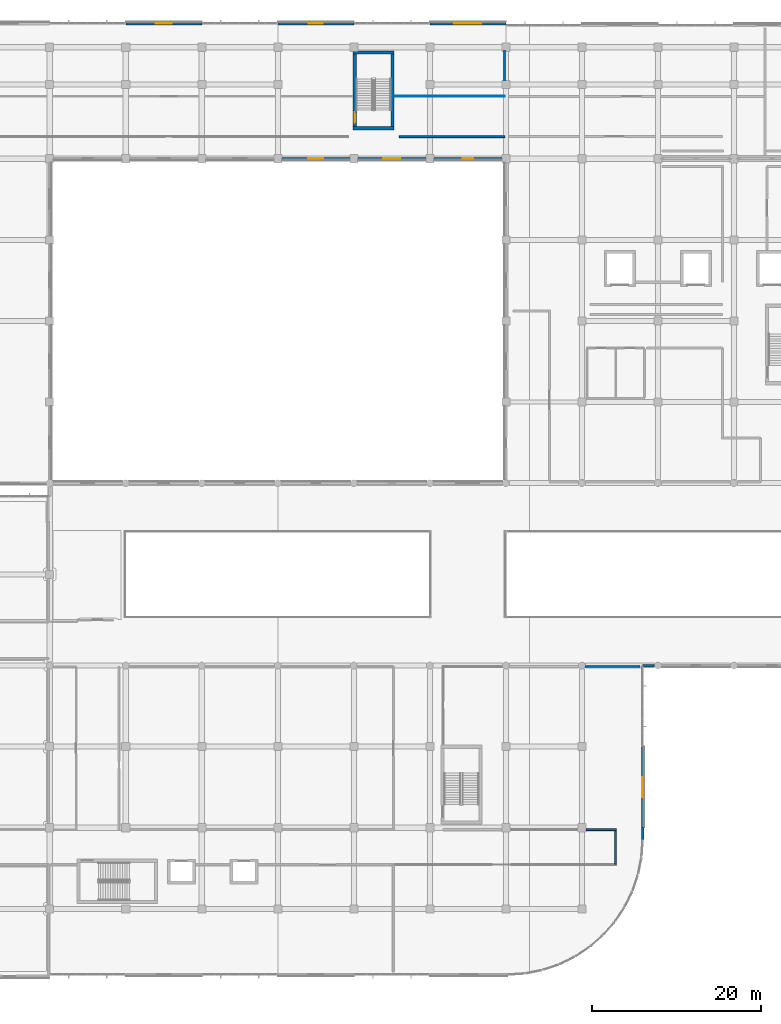
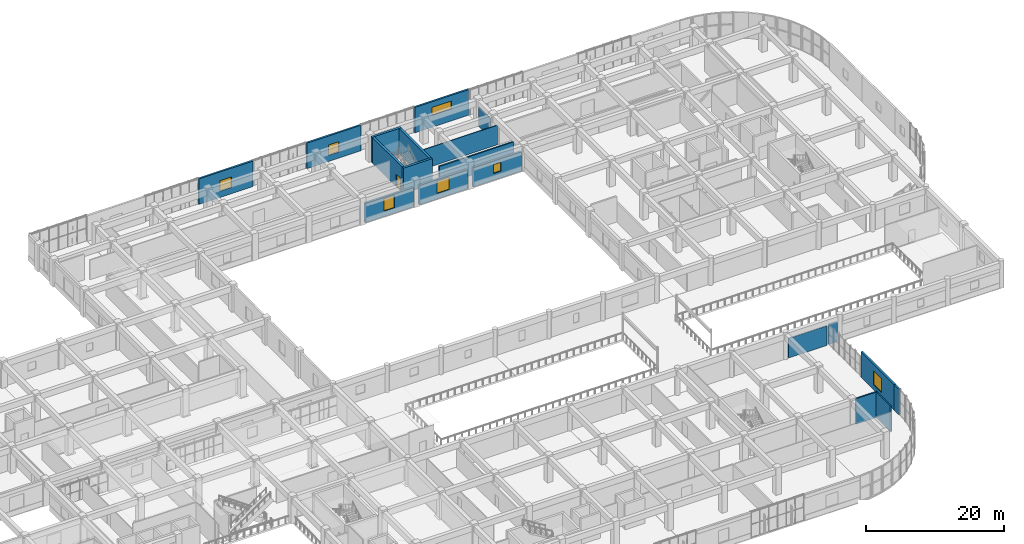
# One storey, part 59 of 86: 19 walls, 7 windows, 1 door, 8 openings.
"""IFC4 building model written with IfcOpenShell, lengths in metres."""

from ifc_helpers import new_model, si_unit, direction, frame, frame_2d, origin, place, context, subcontext, project, spatial, rectangle, extrude, material, layer, layer_set, type_object, element, fill, save


model = new_model("IFC4")

# Units and contexts
model_context = context("Model", 3, precision=1e-05, world=origin(), true_north=direction((0.0, 1.0)))
body_context = subcontext(model_context, "Body", "Model", "MODEL_VIEW")
ifc_project = project(units=[si_unit("LENGTHUNIT", "METRE"), si_unit("AREAUNIT", "SQUARE_METRE"), si_unit("VOLUMEUNIT", "CUBIC_METRE"), si_unit("PLANEANGLEUNIT", "RADIAN"), si_unit("MASSUNIT", "GRAM", prefix="KILO")], contexts=[model_context])

# Site, building, storey
site_placement = place(None, origin())
site = spatial("IfcSite", under=ifc_project, at=site_placement, CompositionType="ELEMENT")
building_placement = place(site_placement, origin())
building = spatial("IfcBuilding", under=site, at=building_placement, Name="Cendralis Terraced Arcade", CompositionType="ELEMENT")
storey_placement = place(building_placement, frame((0.0, 0.0, 5.39990234375)))
storey = spatial("IfcBuildingStorey", under=building, at=storey_placement, Name="L01", CompositionType="ELEMENT", Elevation=5.39990234375)

# Walls
ifc_material_1 = material(Name="Gypsum plasterboard acoustic partition", Category="concrete")
ifc_layer_1 = layer(ifc_material_1, 0.199951171875, Name="WL-ACOU-200")
ifc_layer_set_1 = layer_set([ifc_layer_1], Name="Gypsum plasterboard acoustic partition")
wall_type_1 = type_object("IfcWallType", Name="WL-ACOU-200", PredefinedType="PARTITIONING", material=ifc_layer_set_1)
wall_1_placement = place(storey_placement, frame((130.6201171875, 38.280029296875, 0.0), z_axis=(0.0, 0.0, 1.0), x_axis=(1.0, 0.0, 0.0)))
element("IfcWall", 1, at=wall_1_placement, inside=storey, type_object=wall_type_1, Name="Interior Partition Wall IW-L01-0406", PredefinedType="PARTITIONING", context=body_context, shape_type="SweptSolid", body=[
    extrude(rectangle(XDim=6.43994140625, YDim=0.199951171875, at=frame_2d((3.219970703125, 0.0))), origin(), (0.0, 0.0, 1.0), 3.445068359375),
])
ifc_layer_2 = layer(ifc_material_1, 0.2099609375, Name="WL-ACOU-210")
ifc_layer_set_2 = layer_set([ifc_layer_2], Name="Gypsum plasterboard acoustic partition")
wall_type_2 = type_object("IfcWallType", Name="WL-ACOU-210", PredefinedType="PARTITIONING", material=ifc_layer_set_2)
wall_2_placement = place(storey_placement, frame((134.179931640625, 14.87890625, 0.0), z_axis=(0.0, 0.0, 1.0), x_axis=(0.0, 1.0, 0.0)))
element("IfcWall", 2, at=wall_2_placement, inside=storey, type_object=wall_type_2, Name="Interior Partition Wall IW-L01-0404", PredefinedType="PARTITIONING", context=body_context, shape_type="SweptSolid", body=[
    extrude(rectangle(XDim=3.989990234375, YDim=0.2099609375, at=frame_2d((1.9951171875, 0.0))), origin(), (0.0, 0.0, 1.0), 4.505126953125),
])
ifc_material_2 = material(Name="Autoclaved aerated concrete blockwork", Category="masonry")
ifc_layer_3 = layer(ifc_material_2, 0.221923828125, Name="WL-ACOU-222")
ifc_layer_set_3 = layer_set([ifc_layer_3], Name="Autoclaved aerated concrete blockwork")
wall_type_3 = type_object("IfcWallType", Name="WL-ACOU-222", PredefinedType="PARTITIONING", material=ifc_layer_set_3)
wall_3_placement = place(storey_placement, frame((134.284912109375, 18.97998046875, 0.0), z_axis=(0.0, 0.0, 1.0), x_axis=(-1.0, 0.0, 0.0)))
element("IfcWall", 3, at=wall_3_placement, inside=storey, type_object=wall_type_3, Name="Interior Partition Wall IW-L01-0403", PredefinedType="PARTITIONING", context=body_context, shape_type="SweptSolid", body=[
    extrude(rectangle(XDim=3.58984375, YDim=0.221923828125, at=frame_2d((1.794921875, 0.0))), origin(), (0.0, 0.0, 1.0), 4.505126953125),
])
ifc_layer_4 = layer(ifc_material_2, 0.22802734375, Name="WL-ACOU-228")
ifc_layer_set_4 = layer_set([ifc_layer_4], Name="Autoclaved aerated concrete blockwork")
wall_type_4 = type_object("IfcWallType", Name="WL-ACOU-228", PredefinedType="PARTITIONING", material=ifc_layer_set_4)
wall_4_placement = place(storey_placement, frame((108.5888671875, 101.02001953125, 0.0), z_axis=(0.0, 0.0, 1.0), x_axis=(1.0, 0.0, 0.0)))
element("IfcWall", 4, at=wall_4_placement, inside=storey, type_object=wall_type_4, Name="Interior Partition Wall IW-L01-0380", PredefinedType="PARTITIONING", context=body_context, shape_type="SweptSolid", body=[
    extrude(rectangle(XDim=12.4912109375, YDim=0.22802734375, at=frame_2d((6.24560546875, 0.0))), origin(), (0.0, 0.0, 1.0), 3.445068359375),
])
ifc_material_3 = material(Name="Concrete f'c 42 MPa", Category="concrete")
ifc_layer_5 = layer(ifc_material_3, 0.3798828125, Name="WL-CORE-380")
ifc_layer_set_5 = layer_set([ifc_layer_5], Name="Concrete f'c 42 MPa")
wall_type_5 = type_object("IfcWallType", Name="WL-CORE-380", PredefinedType="SHEAR", material=ifc_layer_set_5)
for number, where, z_axis, x_axis, name in (
    (5, (103.1201171875, 102.010009765625, 0.0), (0.0, 0.0, 1.0), (1.0, 0.0, 0.0), "Stair Core Reinforced Concrete Shear Wall SW-ST-10-L01-S"),
    (6, (103.1201171875, 110.989990234375, 0.0), (0.0, 0.0, 1.0), (1.0, 0.0, 0.0), "Stair Core Reinforced Concrete Shear Wall SW-ST-10-L01-N"),
):
    element("IfcWall", number, at=place(storey_placement, frame(where, z_axis=z_axis, x_axis=x_axis)), inside=storey, type_object=wall_type_5, Name=name, PredefinedType="SHEAR", context=body_context, shape_type="SweptSolid", body=[
        extrude(rectangle(XDim=4.85986328125, YDim=0.3798828125, at=frame_2d((2.429931640625, 0.0))), origin(), (0.0, 0.0, 1.0), 4.505126953125),
    ])
wall_5_placement = place(storey_placement, frame((107.7900390625, 102.199951171875, 0.0), z_axis=(0.0, 0.0, 1.0), x_axis=(0.0, 1.0, 0.0)))
element("IfcWall", 7, at=wall_5_placement, inside=storey, type_object=wall_type_5, Name="Stair Core Reinforced Concrete Shear Wall SW-ST-10-L01-E", PredefinedType="SHEAR", context=body_context, shape_type="SweptSolid", body=[
    extrude(rectangle(XDim=8.60009765625, YDim=0.3798828125, at=frame_2d((4.300048828125, 0.0))), origin(), (0.0, 0.0, 1.0), 4.505126953125),
])

# Wall, opening, door
wall_6_placement = place(storey_placement, frame((103.31005859375, 102.199951171875, 0.0), z_axis=(0.0, 0.0, 1.0), x_axis=(0.0, 1.0, 0.0)))
wall_6 = element("IfcWall", 8, at=wall_6_placement, inside=storey, type_object=wall_type_5, Name="Stair Core Reinforced Concrete Shear Wall SW-ST-10-L01-W", PredefinedType="SHEAR", context=body_context, shape_type="SweptSolid", body=[
    extrude(rectangle(XDim=8.60009765625, YDim=0.3798828125, at=frame_2d((4.300048828125, 0.0))), origin(), (0.0, 0.0, 1.0), 4.505126953125),
])
opening_1_placement = place(wall_6_placement, frame((0.449951171875, 0.0, 0.0)))
opening_1 = element("IfcOpeningElement", 9, at=opening_1_placement, cuts=wall_6, Name="Opening D-ST-10-L01", PredefinedType="OPENING", context=body_context, shape_type="SweptSolid", body=[
    extrude(rectangle(XDim=1.25, YDim=2.199951171875, at=frame_2d((0.625, 1.10009765625))), frame((0.0, 0.201904296875, 0.0), z_axis=(0.0, -1.0, 0.0), x_axis=(1.0, 0.0, 0.0)), (0.0, 0.0, 1.0), 0.40380859375),
])
ifc_material_4 = material(Name="Galvanised fire-rated steel door assembly", Category="steel")
door_type = type_object("IfcDoorType", Name="ID-ST-1250x2200", OperationType="NOTDEFINED", PredefinedType="DOOR", material=ifc_material_4)
door_placement = place(opening_1_placement, frame((1.25, 0.0, 0.0), z_axis=(0.0, 0.0, 1.0), x_axis=(-1.0, 0.0, 0.0)))
door = element("IfcDoor", 10, at=door_placement, inside=storey, type_object=door_type, Name="Protected Stair ST-10 Fire Door (L01)", OperationType="SINGLE_SWING_RIGHT", OverallHeight=2.199951171875, OverallWidth=1.25, PredefinedType="DOOR", context=body_context, shape_type="SweptSolid", body=[
    extrude(rectangle(XDim=1.25, YDim=2.199951171875, at=frame_2d((0.625, 1.10009765625))), frame((0.0, 0.02490234375, 0.0), z_axis=(0.0, -1.0, 0.0), x_axis=(1.0, 0.0, 0.0)), (0.0, 0.0, 1.0), 0.050048828125),
])
fill(opening_1, door)

# Wall, opening, window
ifc_material_5 = material(Name="Precast concrete f'c 40 MPa", Category="concrete")
ifc_layer_6 = layer(ifc_material_5, 0.300048828125, Name="WL-EXT-GRC-300")
ifc_layer_set_6 = layer_set([ifc_layer_6], Name="Precast concrete f'c 40 MPa")
wall_type_6 = type_object("IfcWallType", Name="WL-EXT-GRC-300", PredefinedType="SOLIDWALL", material=ifc_layer_set_6)
wall_7_placement = place(storey_placement, frame((76.199951171875, 114.39990234375, 0.0), z_axis=(0.0, 0.0, 1.0), x_axis=(1.0, 0.0, 0.0)))
wall_7 = element("IfcWall", 11, at=wall_7_placement, inside=storey, type_object=wall_type_6, Name="Exterior Architectural Wall EW-L01-0099", PredefinedType="SOLIDWALL", context=body_context, shape_type="SweptSolid", body=[
    extrude(rectangle(XDim=9.0, YDim=0.300048828125, at=frame_2d((4.5, 0.0))), origin(), (0.0, 0.0, 1.0), 4.505126953125),
])
opening_2_placement = place(wall_7_placement, frame((3.550048828125, 0.0, 1.10009765625)))
opening_2 = element("IfcOpeningElement", 12, at=opening_2_placement, cuts=wall_7, Name="Opening W-13", PredefinedType="OPENING", context=body_context, shape_type="SweptSolid", body=[
    extrude(rectangle(XDim=1.89990234375, YDim=1.85009765625, at=frame_2d((0.949951171875, 0.925048828125))), frame((0.0, 0.162109375, 0.0), z_axis=(0.0, -1.0, 0.0), x_axis=(1.0, 0.0, 0.0)), (0.0, 0.0, 1.0), 0.323974609375),
])
ifc_material_6 = material(Name="Tempered solar control laminated glass", Category="glass")
window_type_1 = type_object("IfcWindowType", Name="WN-F2-1900x1850", PartitioningType="SINGLE_PANEL", PredefinedType="WINDOW", material=ifc_material_6)
window_1_placement = place(opening_2_placement, origin())
window_1 = element("IfcWindow", 13, at=window_1_placement, inside=storey, type_object=window_type_1, Name="Exterior Solar-Control Window WN-L01-0056", OverallHeight=1.85009765625, OverallWidth=1.89990234375, PartitioningType="SINGLE_PANEL", PredefinedType="WINDOW", context=body_context, shape_type="SweptSolid", body=[
    extrude(rectangle(XDim=1.89990234375, YDim=1.85009765625, at=frame_2d((0.949951171875, 0.925048828125))), frame((0.0, 0.030029296875, 0.0), z_axis=(0.0, -1.0, 0.0), x_axis=(1.0, 0.0, 0.0)), (0.0, 0.0, 1.0), 0.06005859375),
])
fill(opening_2, window_1)

wall_8_placement = place(storey_placement, frame((94.199951171875, 114.39990234375, 0.0), z_axis=(0.0, 0.0, 1.0), x_axis=(1.0, 0.0, 0.0)))
wall_8 = element("IfcWall", 14, at=wall_8_placement, inside=storey, type_object=wall_type_6, Name="Exterior Architectural Wall EW-L01-0100", PredefinedType="SOLIDWALL", context=body_context, shape_type="SweptSolid", body=[
    extrude(rectangle(XDim=9.0, YDim=0.300048828125, at=frame_2d((4.5, 0.0))), origin(), (0.0, 0.0, 1.0), 4.505126953125),
])
opening_3_placement = place(wall_8_placement, frame((3.64990234375, 0.0, 1.10009765625)))
opening_3 = element("IfcOpeningElement", 15, at=opening_3_placement, cuts=wall_8, Name="Opening W-14", PredefinedType="OPENING", context=body_context, shape_type="SweptSolid", body=[
    extrude(rectangle(XDim=1.699951171875, YDim=1.800048828125, at=frame_2d((0.85009765625, 0.89990234375))), frame((0.0, 0.162109375, 0.0), z_axis=(0.0, -1.0, 0.0), x_axis=(1.0, 0.0, 0.0)), (0.0, 0.0, 1.0), 0.323974609375),
])
window_type_2 = type_object("IfcWindowType", Name="WN-F2-1700x1800", PartitioningType="SINGLE_PANEL", PredefinedType="WINDOW", material=ifc_material_6)
window_2_placement = place(opening_3_placement, origin())
window_2 = element("IfcWindow", 16, at=window_2_placement, inside=storey, type_object=window_type_2, Name="Exterior Solar-Control Window WN-L01-0057", OverallHeight=1.800048828125, OverallWidth=1.699951171875, PartitioningType="SINGLE_PANEL", PredefinedType="WINDOW", context=body_context, shape_type="SweptSolid", body=[
    extrude(rectangle(XDim=1.699951171875, YDim=1.800048828125, at=frame_2d((0.85009765625, 0.89990234375))), frame((0.0, 0.030029296875, 0.0), z_axis=(0.0, -1.0, 0.0), x_axis=(1.0, 0.0, 0.0)), (0.0, 0.0, 1.0), 0.06005859375),
])
fill(opening_3, window_2)

wall_9_placement = place(storey_placement, frame((112.199951171875, 114.39990234375, 0.0), z_axis=(0.0, 0.0, 1.0), x_axis=(1.0, 0.0, 0.0)))
wall_9 = element("IfcWall", 17, at=wall_9_placement, inside=storey, type_object=wall_type_6, Name="Exterior Architectural Wall EW-L01-0101", PredefinedType="SOLIDWALL", context=body_context, shape_type="SweptSolid", body=[
    extrude(rectangle(XDim=9.0, YDim=0.300048828125, at=frame_2d((4.5, 0.0))), origin(), (0.0, 0.0, 1.0), 4.505126953125),
])
opening_4_placement = place(wall_9_placement, frame((2.89990234375, 0.0, 2.10009765625)))
opening_4 = element("IfcOpeningElement", 18, at=opening_4_placement, cuts=wall_9, Name="Opening W-15", PredefinedType="OPENING", context=body_context, shape_type="SweptSolid", body=[
    extrude(rectangle(XDim=3.199951171875, YDim=1.39990234375, at=frame_2d((1.60009765625, 0.699951171875))), frame((0.0, 0.162109375, 0.0), z_axis=(0.0, -1.0, 0.0), x_axis=(1.0, 0.0, 0.0)), (0.0, 0.0, 1.0), 0.323974609375),
])
window_type_3 = type_object("IfcWindowType", Name="WN-CL-3200x1400", PartitioningType="SINGLE_PANEL", PredefinedType="WINDOW", material=ifc_material_6)
window_3_placement = place(opening_4_placement, origin())
window_3 = element("IfcWindow", 19, at=window_3_placement, inside=storey, type_object=window_type_3, Name="Exterior Solar-Control Window WN-L01-0058", OverallHeight=1.39990234375, OverallWidth=3.199951171875, PartitioningType="SINGLE_PANEL", PredefinedType="WINDOW", context=body_context, shape_type="SweptSolid", body=[
    extrude(rectangle(XDim=3.199951171875, YDim=1.39990234375, at=frame_2d((1.60009765625, 0.699951171875))), frame((0.0, 0.030029296875, 0.0), z_axis=(0.0, -1.0, 0.0), x_axis=(1.0, 0.0, 0.0)), (0.0, 0.0, 1.0), 0.06005859375),
])
fill(opening_4, window_3)

wall_10_placement = place(storey_placement, frame((120.72705078125, 98.39990234375, 0.0), z_axis=(0.0, 0.0, 1.0), x_axis=(-1.0, 0.0, 0.0)))
wall_10 = element("IfcWall", 20, at=wall_10_placement, inside=storey, type_object=wall_type_6, Name="Exterior Architectural Wall EW-L01-0143", PredefinedType="SOLIDWALL", context=body_context, shape_type="SweptSolid", body=[
    extrude(rectangle(XDim=8.053955078125, YDim=0.300048828125, at=frame_2d((4.02685546875, 0.0))), origin(), (0.0, 0.0, 1.0), 3.445068359375),
])
opening_5_placement = place(wall_10_placement, frame((3.402099609375, 0.0, 1.199951171875)))
opening_5 = element("IfcOpeningElement", 21, at=opening_5_placement, cuts=wall_10, Name="Opening W-30", PredefinedType="OPENING", context=body_context, shape_type="SweptSolid", body=[
    extrude(rectangle(XDim=1.25, YDim=1.550048828125, at=frame_2d((0.625, 0.77490234375))), frame((0.0, 0.162109375, 0.0), z_axis=(0.0, -1.0, 0.0), x_axis=(1.0, 0.0, 0.0)), (0.0, 0.0, 1.0), 0.323974609375),
])
window_type_4 = type_object("IfcWindowType", Name="WN-F3-1250x1550", PartitioningType="SINGLE_PANEL", PredefinedType="WINDOW", material=ifc_material_6)
window_4_placement = place(opening_5_placement, origin())
window_4 = element("IfcWindow", 22, at=window_4_placement, inside=storey, type_object=window_type_4, Name="Exterior Solar-Control Window WN-L01-0093", OverallHeight=1.550048828125, OverallWidth=1.25, PartitioningType="SINGLE_PANEL", PredefinedType="WINDOW", context=body_context, shape_type="SweptSolid", body=[
    extrude(rectangle(XDim=1.25, YDim=1.550048828125, at=frame_2d((0.625, 0.77490234375))), frame((0.0, 0.030029296875, 0.0), z_axis=(0.0, -1.0, 0.0), x_axis=(1.0, 0.0, 0.0)), (0.0, 0.0, 1.0), 0.06005859375),
])
fill(opening_5, window_4)

wall_11_placement = place(storey_placement, frame((111.72705078125, 98.39990234375, 0.0), z_axis=(0.0, 0.0, 1.0), x_axis=(-1.0, 0.0, 0.0)))
wall_11 = element("IfcWall", 23, at=wall_11_placement, inside=storey, type_object=wall_type_6, Name="Exterior Architectural Wall EW-L01-0144", PredefinedType="SOLIDWALL", context=body_context, shape_type="SweptSolid", body=[
    extrude(rectangle(XDim=8.053955078125, YDim=0.300048828125, at=frame_2d((4.02685546875, 0.0))), origin(), (0.0, 0.0, 1.0), 3.445068359375),
])
opening_6_placement = place(wall_11_placement, frame((3.027099609375, 0.0, 0.949951171875)))
opening_6 = element("IfcOpeningElement", 24, at=opening_6_placement, cuts=wall_11, Name="Opening W-03", PredefinedType="OPENING", context=body_context, shape_type="SweptSolid", body=[
    extrude(rectangle(XDim=2.0, YDim=2.199951171875, at=frame_2d((1.0, 1.10009765625))), frame((0.0, 0.162109375, 0.0), z_axis=(0.0, -1.0, 0.0), x_axis=(1.0, 0.0, 0.0)), (0.0, 0.0, 1.0), 0.323974609375),
])
window_type_5 = type_object("IfcWindowType", Name="WN-F1-2000x2200", PartitioningType="SINGLE_PANEL", PredefinedType="WINDOW", material=ifc_material_6)
window_5_placement = place(opening_6_placement, origin())
window_5 = element("IfcWindow", 25, at=window_5_placement, inside=storey, type_object=window_type_5, Name="Exterior Solar-Control Window WN-L01-0094", OverallHeight=2.199951171875, OverallWidth=2.0, PartitioningType="SINGLE_PANEL", PredefinedType="WINDOW", context=body_context, shape_type="SweptSolid", body=[
    extrude(rectangle(XDim=2.0, YDim=2.199951171875, at=frame_2d((1.0, 1.10009765625))), frame((0.0, 0.030029296875, 0.0), z_axis=(0.0, -1.0, 0.0), x_axis=(1.0, 0.0, 0.0)), (0.0, 0.0, 1.0), 0.06005859375),
])
fill(opening_6, window_5)

wall_12_placement = place(storey_placement, frame((102.72705078125, 98.39990234375, 0.0), z_axis=(0.0, 0.0, 1.0), x_axis=(-1.0, 0.0, 0.0)))
wall_12 = element("IfcWall", 26, at=wall_12_placement, inside=storey, type_object=wall_type_6, Name="Exterior Architectural Wall EW-L01-0145", PredefinedType="SOLIDWALL", context=body_context, shape_type="SweptSolid", body=[
    extrude(rectangle(XDim=8.053955078125, YDim=0.300048828125, at=frame_2d((4.02685546875, 0.0))), origin(), (0.0, 0.0, 1.0), 3.445068359375),
])
opening_7_placement = place(wall_12_placement, frame((3.126953125, 0.0, 0.949951171875)))
opening_7 = element("IfcOpeningElement", 27, at=opening_7_placement, cuts=wall_12, Name="Opening W-04", PredefinedType="OPENING", context=body_context, shape_type="SweptSolid", body=[
    extrude(rectangle(XDim=1.800048828125, YDim=2.199951171875, at=frame_2d((0.89990234375, 1.10009765625))), frame((0.0, 0.162109375, 0.0), z_axis=(0.0, -1.0, 0.0), x_axis=(1.0, 0.0, 0.0)), (0.0, 0.0, 1.0), 0.323974609375),
])
window_type_6 = type_object("IfcWindowType", Name="WN-F1-1800x2200", PartitioningType="SINGLE_PANEL", PredefinedType="WINDOW", material=ifc_material_6)
window_6_placement = place(opening_7_placement, origin())
window_6 = element("IfcWindow", 28, at=window_6_placement, inside=storey, type_object=window_type_6, Name="Exterior Solar-Control Window WN-L01-0095", OverallHeight=2.199951171875, OverallWidth=1.800048828125, PartitioningType="SINGLE_PANEL", PredefinedType="WINDOW", context=body_context, shape_type="SweptSolid", body=[
    extrude(rectangle(XDim=1.800048828125, YDim=2.199951171875, at=frame_2d((0.89990234375, 1.10009765625))), frame((0.0, 0.030029296875, 0.0), z_axis=(0.0, -1.0, 0.0), x_axis=(1.0, 0.0, 0.0)), (0.0, 0.0, 1.0), 0.06005859375),
])
fill(opening_7, window_6)

# Wall
ifc_material_7 = material(Name="Terracotta clay masonry", Category="masonry")
ifc_layer_7 = layer(ifc_material_7, 0.2900390625, Name="WL-EXT-TER-290")
ifc_layer_set_7 = layer_set([ifc_layer_7], Name="Terracotta clay masonry")
wall_type_7 = type_object("IfcWallType", Name="WL-EXT-TER-290", PredefinedType="SOLIDWALL", material=ifc_layer_set_7)
wall_13_placement = place(storey_placement, frame((138.802001953125, 38.39990234375, 0.0), z_axis=(0.0, 0.0, 1.0), x_axis=(-1.0, 0.0, 0.0)))
element("IfcWall", 29, at=wall_13_placement, inside=storey, type_object=wall_type_7, Name="Exterior Architectural Wall EW-L01-0116", PredefinedType="SOLIDWALL", context=body_context, shape_type="SweptSolid", body=[
    extrude(rectangle(XDim=1.402099609375, YDim=0.2900390625, at=frame_2d((0.701171875, 0.0))), origin(), (0.0, 0.0, 1.0), 3.445068359375),
])

# Wall, opening, window
wall_14_placement = place(storey_placement, frame((137.39990234375, 28.800048828125, 0.0), z_axis=(0.0, 0.0, 1.0), x_axis=(0.0, -1.0, 0.0)))
wall_14 = element("IfcWall", 30, at=wall_14_placement, inside=storey, type_object=wall_type_7, Name="Exterior Architectural Wall EW-L01-0117", PredefinedType="SOLIDWALL", context=body_context, shape_type="SweptSolid", body=[
    extrude(rectangle(XDim=9.60009765625, YDim=0.2900390625, at=frame_2d((4.800048828125, 0.0))), origin(), (0.0, 0.0, 1.0), 4.505126953125),
])
opening_8_placement = place(wall_14_placement, frame((3.60009765625, 0.0, 0.89990234375)))
opening_8 = element("IfcOpeningElement", 31, at=opening_8_placement, cuts=wall_14, Name="Opening W-01", PredefinedType="OPENING", context=body_context, shape_type="SweptSolid", body=[
    extrude(rectangle(XDim=2.39990234375, YDim=2.39990234375, at=frame_2d((1.199951171875, 1.199951171875))), frame((0.0, 0.156982421875, 0.0), z_axis=(0.0, -1.0, 0.0), x_axis=(1.0, 0.0, 0.0)), (0.0, 0.0, 1.0), 0.31396484375),
])
window_type_7 = type_object("IfcWindowType", Name="WN-F1-2400x2400", PartitioningType="SINGLE_PANEL", PredefinedType="WINDOW", material=ifc_material_6)
window_7_placement = place(opening_8_placement, origin())
window_7 = element("IfcWindow", 32, at=window_7_placement, inside=storey, type_object=window_type_7, Name="Exterior Solar-Control Window WN-L01-0070", OverallHeight=2.39990234375, OverallWidth=2.39990234375, PartitioningType="SINGLE_PANEL", PredefinedType="WINDOW", context=body_context, shape_type="SweptSolid", body=[
    extrude(rectangle(XDim=2.39990234375, YDim=2.39990234375, at=frame_2d((1.199951171875, 1.199951171875))), frame((0.0, 0.030029296875, 0.0), z_axis=(0.0, -1.0, 0.0), x_axis=(1.0, 0.0, 0.0)), (0.0, 0.0, 1.0), 0.06005859375),
])
fill(opening_8, window_7)

# Walls
wall_15_placement = place(storey_placement, frame((137.39990234375, 19.199951171875, 0.0), z_axis=(0.0, 0.0, 1.0), x_axis=(0.0, -1.0, 0.0)))
element("IfcWall", 33, at=wall_15_placement, inside=storey, type_object=wall_type_7, Name="Exterior Architectural Wall EW-L01-0118", PredefinedType="SOLIDWALL", context=body_context, shape_type="SweptSolid", body=[
    extrude(rectangle(XDim=1.39990234375, YDim=0.2900390625, at=frame_2d((0.699951171875, 0.0))), origin(), (0.0, 0.0, 1.0), 4.505126953125),
])
ifc_layer_8 = layer(ifc_material_1, 0.114990234375, Name="WL-PART-115")
ifc_layer_set_8 = layer_set([ifc_layer_8], Name="Gypsum plasterboard acoustic partition")
wall_type_8 = type_object("IfcWallType", Name="WL-PART-115", PredefinedType="PARTITIONING", material=ifc_layer_set_8)
wall_16_placement = place(storey_placement, frame((121.080078125, 111.10498046875, 0.0), z_axis=(0.0, 0.0, 1.0), x_axis=(0.0, -1.0, 0.0)))
element("IfcWall", 34, at=wall_16_placement, inside=storey, type_object=wall_type_8, Name="Interior Partition Wall IW-L01-0378", PredefinedType="PARTITIONING", context=body_context, shape_type="SweptSolid", body=[
    extrude(rectangle(XDim=3.409912109375, YDim=0.114990234375, at=frame_2d((1.705078125, 0.0))), origin(), (0.0, 0.0, 1.0), 3.445068359375),
])
ifc_layer_9 = layer(ifc_material_1, 0.117919921875, Name="WL-PART-118")
ifc_layer_set_9 = layer_set([ifc_layer_9], Name="Gypsum plasterboard acoustic partition")
wall_type_9 = type_object("IfcWallType", Name="WL-PART-118", PredefinedType="PARTITIONING", material=ifc_layer_set_9)
wall_17_placement = place(storey_placement, frame((121.080078125, 105.780029296875, 0.0), z_axis=(0.0, 0.0, 1.0), x_axis=(-1.0, 0.0, 0.0)))
element("IfcWall", 35, at=wall_17_placement, inside=storey, type_object=wall_type_9, Name="Interior Partition Wall IW-L01-0377", PredefinedType="PARTITIONING", context=body_context, shape_type="SweptSolid", body=[
    extrude(rectangle(XDim=13.10009765625, YDim=0.117919921875, at=frame_2d((6.550048828125, 0.0))), origin(), (0.0, 0.0, 1.0), 3.445068359375),
])

save(model, "model.ifc")
